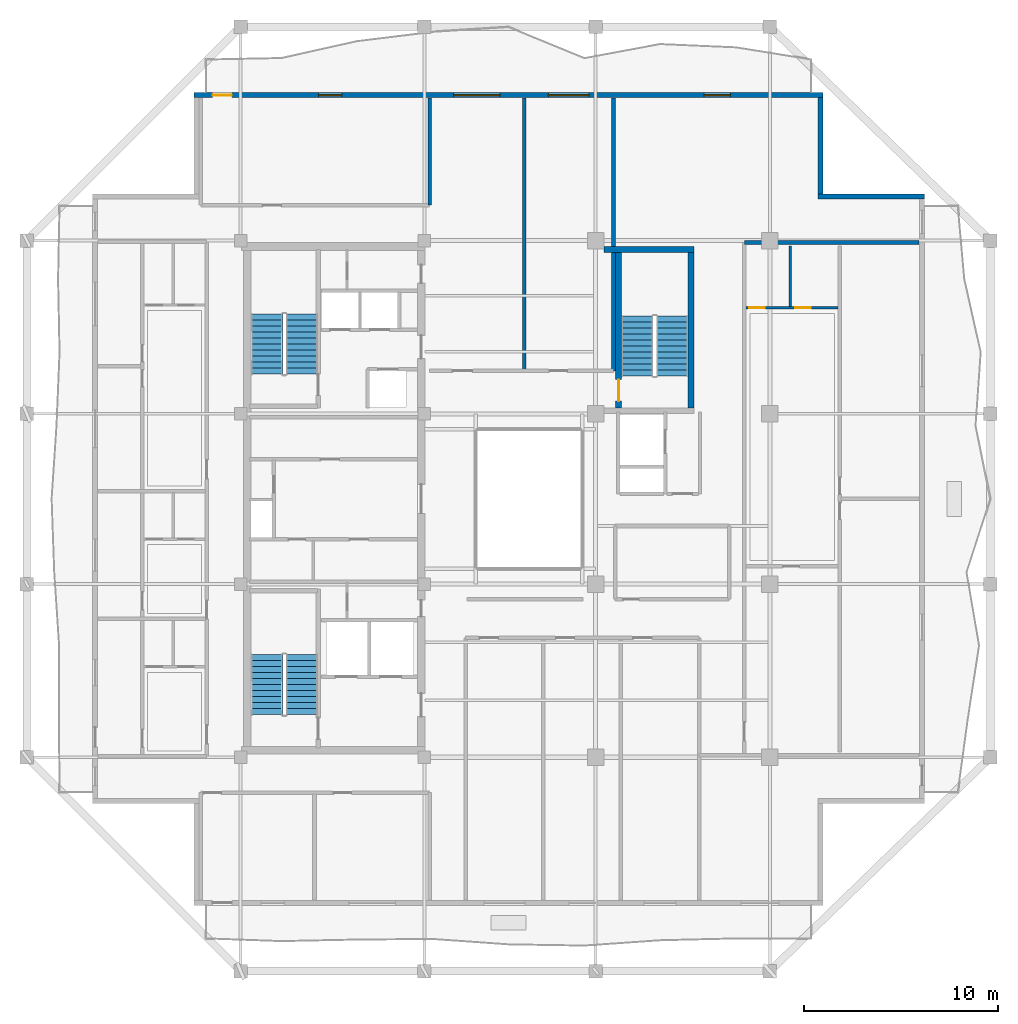
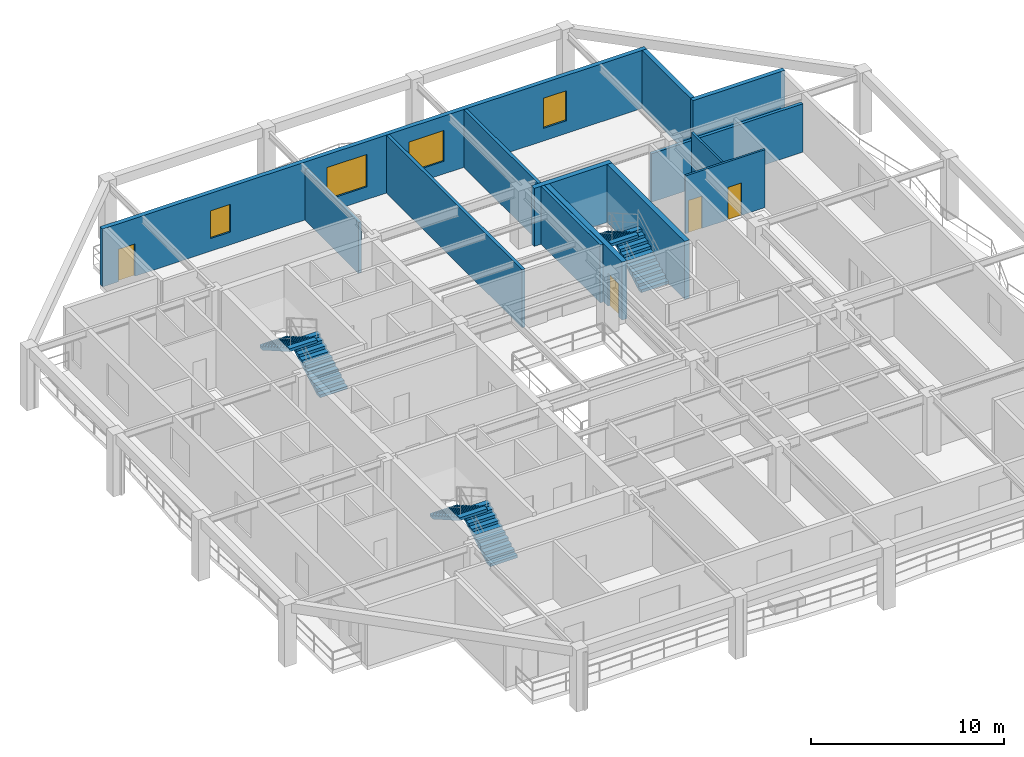
# One storey, part 6 of 11: 12 walls, 6 stair flights, 4 doors, 4 windows, 8 openings, 3 elements without a shape of their own.
"""IFC4 building model written with IfcOpenShell, lengths in metres."""

from ifc_helpers import new_model, si_unit, direction, frame, frame_2d, origin, place, context, subcontext, project, spatial, polyline, rectangle, outline, extrude, material, layer, layer_set, type_object, element, fill, aggregate, save


model = new_model("IFC4")

# Units and contexts
model_context = context("Model", 3, precision=1e-05, world=origin(), true_north=direction((0.0, 1.0)))
body_context = subcontext(model_context, "Body", "Model", "MODEL_VIEW")
ifc_project = project(units=[si_unit("LENGTHUNIT", "METRE"), si_unit("AREAUNIT", "SQUARE_METRE"), si_unit("VOLUMEUNIT", "CUBIC_METRE"), si_unit("PLANEANGLEUNIT", "RADIAN"), si_unit("MASSUNIT", "GRAM", prefix="KILO")], contexts=[model_context])

# Site, building, storey
site_placement = place(None, origin())
site = spatial("IfcSite", under=ifc_project, at=site_placement, CompositionType="ELEMENT")
building_placement = place(site_placement, origin())
building = spatial("IfcBuilding", under=site, at=building_placement, Name="Kundavana Baori Tower", CompositionType="ELEMENT")
storey_placement = place(building_placement, frame((0.0, 0.0, 264.800048828125)))
storey = spatial("IfcBuildingStorey", under=building, at=storey_placement, Name="L65", CompositionType="ELEMENT", Elevation=264.800048828125)

# Walls
ifc_material_1 = material(Name="Kiln-Fired Terracotta Brick-Slip Masonry on Concrete C40/50", Category="masonry")
ifc_layer_1 = layer(ifc_material_1, 0.260009765625, Name="WL-EXT-BRK-260")
ifc_layer_set_1 = layer_set([ifc_layer_1], Name="Kiln-Fired Terracotta Brick-Slip Masonry on Concrete C40/50")
wall_type_1 = type_object("IfcWallType", Name="WL-EXT-BRK-260", PredefinedType="SOLIDWALL", material=ifc_layer_set_1)
wall_1_placement = place(storey_placement, frame((50.800048828125, 44.219970703125, 0.0), z_axis=(0.0, 0.0, 1.0), x_axis=(-1.0, 0.0, 0.0)))
element("IfcWall", 1, at=wall_1_placement, inside=storey, type_object=wall_type_1, Name="L65 Exterior Insulated Facade Wall 05", PredefinedType="SOLIDWALL", context=body_context, shape_type="SweptSolid", body=[
    extrude(rectangle(XDim=5.510009765625, YDim=0.260009765625, at=frame_2d((2.7548828125, 0.0))), origin(), (0.0, 0.0, 1.0), 3.659912109375),
])
wall_2_placement = place(storey_placement, frame((45.419921875, 44.35009765625, 0.0), z_axis=(0.0, 0.0, 1.0), x_axis=(0.0, 1.0, 0.0)))
element("IfcWall", 2, at=wall_2_placement, inside=storey, type_object=wall_type_1, Name="L65 Exterior Insulated Facade Wall 06", PredefinedType="SOLIDWALL", context=body_context, shape_type="SweptSolid", body=[
    extrude(rectangle(XDim=4.989990234375, YDim=0.260009765625, at=frame_2d((2.4951171875, 0.0))), origin(), (0.0, 0.0, 1.0), 3.659912109375),
])

# Wall, openings, door, windows
wall_3_placement = place(storey_placement, frame((45.550048828125, 49.469970703125, 0.0), z_axis=(0.0, 0.0, 1.0), x_axis=(-1.0, 0.0, 0.0)))
wall_3 = element("IfcWall", 3, at=wall_3_placement, inside=storey, type_object=wall_type_1, Name="L65 Exterior Insulated Facade Wall 07", PredefinedType="SOLIDWALL", context=body_context, shape_type="SweptSolid", body=[
    extrude(rectangle(XDim=32.5, YDim=0.260009765625, at=frame_2d((16.25, 0.0))), origin(), (0.0, 0.0, 1.0), 3.659912109375),
])
opening_1_placement = place(wall_3_placement, frame((30.550048828125, 0.0, 0.0)))
opening_1 = element("IfcOpeningElement", 4, at=opening_1_placement, cuts=wall_3, Name="Opening BD-1", PredefinedType="OPENING", context=body_context, shape_type="SweptSolid", body=[
    extrude(rectangle(XDim=1.0, YDim=2.050048828125, at=frame_2d((0.5, 1.02490234375))), frame((0.0, 0.14013671875, 0.0), z_axis=(0.0, -1.0, 0.0), x_axis=(1.0, 0.0, 0.0)), (0.0, 0.0, 1.0), 0.280029296875),
])
opening_2_placement = place(wall_3_placement, frame((24.864990234375, 0.0, 0.800048828125)))
opening_2 = element("IfcOpeningElement", 5, at=opening_2_placement, cuts=wall_3, Name="Opening W-03", PredefinedType="OPENING", context=body_context, shape_type="SweptSolid", body=[
    extrude(rectangle(XDim=1.199951171875, YDim=1.75, at=frame_2d((0.60009765625, 0.875))), frame((0.0, 0.14013671875, 0.0), z_axis=(0.0, -1.0, 0.0), x_axis=(1.0, 0.0, 0.0)), (0.0, 0.0, 1.0), 0.280029296875),
])
opening_3_placement = place(wall_3_placement, frame((16.68994140625, 0.0, 0.800048828125)))
opening_3 = element("IfcOpeningElement", 6, at=opening_3_placement, cuts=wall_3, Name="Opening W-04", PredefinedType="OPENING", context=body_context, shape_type="SweptSolid", body=[
    extrude(rectangle(XDim=2.39990234375, YDim=2.050048828125, at=frame_2d((1.199951171875, 1.02490234375))), frame((0.0, 0.14013671875, 0.0), z_axis=(0.0, -1.0, 0.0), x_axis=(1.0, 0.0, 0.0)), (0.0, 0.0, 1.0), 0.280029296875),
])
opening_4_placement = place(wall_3_placement, frame((12.090087890625, 0.0, 0.800048828125)))
opening_4 = element("IfcOpeningElement", 7, at=opening_4_placement, cuts=wall_3, Name="Opening W-05", PredefinedType="OPENING", context=body_context, shape_type="SweptSolid", body=[
    extrude(rectangle(XDim=2.10009765625, YDim=1.949951171875, at=frame_2d((1.050048828125, 0.97509765625))), frame((0.0, 0.14013671875, 0.0), z_axis=(0.0, -1.0, 0.0), x_axis=(1.0, 0.0, 0.0)), (0.0, 0.0, 1.0), 0.280029296875),
])
opening_5_placement = place(wall_3_placement, frame((4.794921875, 0.0, 0.800048828125)))
opening_5 = element("IfcOpeningElement", 8, at=opening_5_placement, cuts=wall_3, Name="Opening W-07", PredefinedType="OPENING", context=body_context, shape_type="SweptSolid", body=[
    extrude(rectangle(XDim=1.35009765625, YDim=1.89990234375, at=frame_2d((0.675048828125, 0.949951171875))), frame((0.0, 0.14013671875, 0.0), z_axis=(0.0, -1.0, 0.0), x_axis=(1.0, 0.0, 0.0)), (0.0, 0.0, 1.0), 0.280029296875),
])
ifc_material_2 = material(Name="Architectural Patinated Bronze Metalwork")
door_type_1 = type_object("IfcDoorType", Name="DR-EXT-LOG-1000", OperationType="NOTDEFINED", PredefinedType="DOOR", material=ifc_material_2)
door_1_placement = place(opening_1_placement, frame((1.0, 0.0, 0.0), z_axis=(0.0, 0.0, 1.0), x_axis=(-1.0, 0.0, 0.0)))
door_1 = element("IfcDoor", 9, at=door_1_placement, inside=storey, type_object=door_type_1, Name="L65 Loggia Balcony Access Door N", OperationType="SINGLE_SWING_LEFT", OverallHeight=2.050048828125, OverallWidth=1.0, PredefinedType="DOOR", context=body_context, shape_type="SweptSolid", body=[
    extrude(rectangle(XDim=1.0, YDim=2.050048828125, at=frame_2d((0.5, 1.02490234375))), frame((0.0, 0.02490234375, 0.0), z_axis=(0.0, -1.0, 0.0), x_axis=(1.0, 0.0, 0.0)), (0.0, 0.0, 1.0), 0.050048828125),
])
fill(opening_1, door_1)
ifc_material_3 = material(Name="Double-Glazed Solar-Control Low-E Insulated Glass", Category="glass")
window_type_1 = type_object("IfcWindowType", Name="WIN-LOG-1200x1750", PartitioningType="SINGLE_PANEL", PredefinedType="WINDOW", material=ifc_material_3)
window_1_placement = place(opening_2_placement, origin())
window_1 = element("IfcWindow", 10, at=window_1_placement, inside=storey, type_object=window_type_1, Name="L65 Recessed Loggia Window N-1", OverallHeight=1.75, OverallWidth=1.199951171875, PartitioningType="SINGLE_PANEL", PredefinedType="WINDOW", context=body_context, shape_type="SweptSolid", body=[
    extrude(rectangle(XDim=1.199951171875, YDim=1.75, at=frame_2d((0.60009765625, 0.875))), frame((0.0, 0.030029296875, 0.0), z_axis=(0.0, -1.0, 0.0), x_axis=(1.0, 0.0, 0.0)), (0.0, 0.0, 1.0), 0.06005859375),
])
fill(opening_2, window_1)
ifc_material_4 = material(Name="Double-Glazed Solar-Control Low-E Insulated Glass", Category="glass")
window_type_2 = type_object("IfcWindowType", Name="WIN-LOG-1350x1900", PartitioningType="SINGLE_PANEL", PredefinedType="WINDOW", material=ifc_material_4)
window_2_placement = place(opening_5_placement, origin())
window_2 = element("IfcWindow", 11, at=window_2_placement, inside=storey, type_object=window_type_2, Name="L65 Recessed Loggia Window N-4", OverallHeight=1.89990234375, OverallWidth=1.35009765625, PartitioningType="SINGLE_PANEL", PredefinedType="WINDOW", context=body_context, shape_type="SweptSolid", body=[
    extrude(rectangle(XDim=1.35009765625, YDim=1.89990234375, at=frame_2d((0.675048828125, 0.949951171875))), frame((0.0, 0.030029296875, 0.0), z_axis=(0.0, -1.0, 0.0), x_axis=(1.0, 0.0, 0.0)), (0.0, 0.0, 1.0), 0.06005859375),
])
fill(opening_5, window_2)
ifc_material_5 = material(Name="Double-Glazed Solar-Control Low-E Insulated Glass", Category="glass")
window_type_3 = type_object("IfcWindowType", Name="WIN-LOG-2100x1950", PartitioningType="SINGLE_PANEL", PredefinedType="WINDOW", material=ifc_material_5)
window_3_placement = place(opening_4_placement, origin())
window_3 = element("IfcWindow", 12, at=window_3_placement, inside=storey, type_object=window_type_3, Name="L65 Recessed Loggia Window N-3", OverallHeight=1.949951171875, OverallWidth=2.10009765625, PartitioningType="SINGLE_PANEL", PredefinedType="WINDOW", context=body_context, shape_type="SweptSolid", body=[
    extrude(rectangle(XDim=2.10009765625, YDim=1.949951171875, at=frame_2d((1.050048828125, 0.97509765625))), frame((0.0, 0.030029296875, 0.0), z_axis=(0.0, -1.0, 0.0), x_axis=(1.0, 0.0, 0.0)), (0.0, 0.0, 1.0), 0.06005859375),
])
fill(opening_4, window_3)
ifc_material_6 = material(Name="Double-Glazed Solar-Control Low-E Insulated Glass", Category="glass")
window_type_4 = type_object("IfcWindowType", Name="WIN-LOG-2400x2050", PartitioningType="SINGLE_PANEL", PredefinedType="WINDOW", material=ifc_material_6)
window_4_placement = place(opening_3_placement, origin())
window_4 = element("IfcWindow", 13, at=window_4_placement, inside=storey, type_object=window_type_4, Name="L65 Recessed Loggia Window N-2", OverallHeight=2.050048828125, OverallWidth=2.39990234375, PartitioningType="SINGLE_PANEL", PredefinedType="WINDOW", context=body_context, shape_type="SweptSolid", body=[
    extrude(rectangle(XDim=2.39990234375, YDim=2.050048828125, at=frame_2d((1.199951171875, 1.02490234375))), frame((0.0, 0.030029296875, 0.0), z_axis=(0.0, -1.0, 0.0), x_axis=(1.0, 0.0, 0.0)), (0.0, 0.0, 1.0), 0.06005859375),
])
fill(opening_3, window_4)

# Walls
ifc_material_7 = material(Name="Autoclaved Aerated Concrete Blockwork Masonry", Category="masonry")
ifc_layer_2 = layer(ifc_material_7, 0.18505859375, Name="WL-PART-180")
ifc_layer_set_2 = layer_set([ifc_layer_2], Name="Autoclaved Aerated Concrete Blockwork Masonry")
wall_type_2 = type_object("IfcWallType", Name="WL-PART-180", PredefinedType="SOLIDWALL", material=ifc_layer_set_2)
wall_4_placement = place(storey_placement, frame((25.219970703125, 43.780029296875, 0.0), z_axis=(0.0, 0.0, 1.0), x_axis=(0.0, 1.0, 0.0)))
element("IfcWall", 14, at=wall_4_placement, inside=storey, type_object=wall_type_2, Name="WL-L65-RNCE", PredefinedType="SOLIDWALL", context=body_context, shape_type="SweptSolid", body=[
    extrude(rectangle(XDim=5.5400390625, YDim=0.18505859375, at=frame_2d((2.77001953125, 0.0))), origin(), (0.0, 0.0, 1.0), 3.2099609375),
])
wall_5_placement = place(storey_placement, frame((34.719970703125, 35.219970703125, 0.0), z_axis=(0.0, 0.0, 1.0), x_axis=(0.0, 1.0, 0.0)))
element("IfcWall", 15, at=wall_5_placement, inside=storey, type_object=wall_type_2, Name="WL-L65-RNEND", PredefinedType="SOLIDWALL", context=body_context, shape_type="SweptSolid", body=[
    extrude(rectangle(XDim=14.10009765625, YDim=0.18505859375, at=frame_2d((7.050048828125, 0.0))), origin(), (0.0, 0.0, 1.0), 3.659912109375),
])
wall_6_placement = place(storey_placement, frame((30.10009765625, 35.300048828125, 0.0), z_axis=(0.0, 0.0, 1.0), x_axis=(0.0, 1.0, 0.0)))
element("IfcWall", 16, at=wall_6_placement, inside=storey, type_object=wall_type_2, Name="WL-L65-RND1", PredefinedType="SOLIDWALL", context=body_context, shape_type="SweptSolid", body=[
    extrude(rectangle(XDim=14.02001953125, YDim=0.18505859375, at=frame_2d((7.010009765625, 0.0))), origin(), (0.0, 0.0, 1.0), 3.659912109375),
])
wall_7_placement = place(storey_placement, frame((41.47998046875, 41.85009765625, 0.0), z_axis=(0.0, 0.0, 1.0), x_axis=(1.0, 0.0, 0.0)))
element("IfcWall", 17, at=wall_7_placement, inside=storey, type_object=wall_type_2, Name="WL-L65-REN", PredefinedType="SOLIDWALL", context=body_context, shape_type="SweptSolid", body=[
    extrude(rectangle(XDim=9.0400390625, YDim=0.18505859375, at=frame_2d((4.52001953125, 0.0))), origin(), (0.0, 0.0, 1.0), 3.06005859375),
])
ifc_material_8 = material(Name="Concrete C50/60", Category="concrete")
ifc_layer_3 = layer(ifc_material_8, 0.300048828125, Name="WL-ST3-300")
ifc_layer_set_3 = layer_set([ifc_layer_3], Name="Concrete C50/60")
wall_type_3 = type_object("IfcWallType", Name="WL-ST3-300", PredefinedType="SHEAR", material=ifc_layer_set_3)
wall_8_placement = place(storey_placement, frame((34.22509765625, 41.489990234375, 0.0), z_axis=(0.0, 0.0, 1.0), x_axis=(1.0, 0.0, 0.0)))
element("IfcWall", 18, at=wall_8_placement, inside=storey, type_object=wall_type_3, Name="L65 Stair ST3 North Shear Wall", PredefinedType="SHEAR", context=body_context, shape_type="SweptSolid", body=[
    extrude(rectangle(XDim=4.64501953125, YDim=0.300048828125, at=frame_2d((2.322509765625, 0.0))), origin(), (0.0, 0.0, 1.0), 3.659912109375),
])

# Wall, opening, door
wall_9_placement = place(storey_placement, frame((34.97998046875, 33.31005859375, 0.0), z_axis=(0.0, 0.0, 1.0), x_axis=(0.0, 1.0, 0.0)))
wall_9 = element("IfcWall", 19, at=wall_9_placement, inside=storey, type_object=wall_type_3, Name="L65 Stair ST3 West Shear Wall", PredefinedType="SHEAR", context=body_context, shape_type="SweptSolid", body=[
    extrude(rectangle(XDim=8.030029296875, YDim=0.300048828125, at=frame_2d((4.01513671875, 0.0))), origin(), (0.0, 0.0, 1.0), 3.659912109375),
])
opening_6_placement = place(wall_9_placement, frame((0.35009765625, 0.0, 0.0)))
opening_6 = element("IfcOpeningElement", 20, at=opening_6_placement, cuts=wall_9, Name="Opening FD-110", PredefinedType="OPENING", context=body_context, shape_type="SweptSolid", body=[
    extrude(rectangle(XDim=1.10009765625, YDim=2.10009765625, at=frame_2d((0.550048828125, 1.050048828125))), frame((0.0, 0.16015625, 0.0), z_axis=(0.0, -1.0, 0.0), x_axis=(1.0, 0.0, 0.0)), (0.0, 0.0, 1.0), 0.320068359375),
])
ifc_material_9 = material(Name="Galvanised Steel Fire-Rated Door Leaf", Category="steel")
door_type_2 = type_object("IfcDoorType", Name="DR-FD120-1100", OperationType="NOTDEFINED", PredefinedType="DOOR", material=ifc_material_9)
door_2_placement = place(opening_6_placement, origin())
door_2 = element("IfcDoor", 21, at=door_2_placement, inside=storey, type_object=door_type_2, Name="DR-L65-ST3-W", OperationType="SINGLE_SWING_LEFT", OverallHeight=2.10009765625, OverallWidth=1.10009765625, PredefinedType="DOOR", context=body_context, shape_type="SweptSolid", body=[
    extrude(rectangle(XDim=1.10009765625, YDim=2.10009765625, at=frame_2d((0.550048828125, 1.050048828125))), frame((0.0, 0.02490234375, 0.0), z_axis=(0.0, -1.0, 0.0), x_axis=(1.0, 0.0, 0.0)), (0.0, 0.0, 1.0), 0.050048828125),
])
fill(opening_6, door_2)

# Wall
wall_10_placement = place(storey_placement, frame((38.719970703125, 33.31005859375, 0.0), z_axis=(0.0, 0.0, 1.0), x_axis=(0.0, 1.0, 0.0)))
element("IfcWall", 22, at=wall_10_placement, inside=storey, type_object=wall_type_3, Name="L65 Stair ST3 East Shear Wall", PredefinedType="SHEAR", context=body_context, shape_type="SweptSolid", body=[
    extrude(rectangle(XDim=8.030029296875, YDim=0.300048828125, at=frame_2d((4.01513671875, 0.0))), origin(), (0.0, 0.0, 1.0), 3.659912109375),
])

# Wall, openings, doors
ifc_material_10 = material(Name="Autoclaved Aerated Concrete Blockwork Masonry", Category="masonry")
ifc_layer_4 = layer(ifc_material_10, 0.125, Name="WL-WET-120")
ifc_layer_set_4 = layer_set([ifc_layer_4], Name="Autoclaved Aerated Concrete Blockwork Masonry")
wall_type_4 = type_object("IfcWallType", Name="WL-WET-120", PredefinedType="PLUMBINGWALL", material=ifc_layer_set_4)
wall_11_placement = place(storey_placement, frame((41.580078125, 38.469970703125, 0.0), z_axis=(0.0, 0.0, 1.0), x_axis=(1.0, 0.0, 0.0)))
wall_11 = element("IfcWall", 23, at=wall_11_placement, inside=storey, type_object=wall_type_4, Name="WL-L65-E1-KH", PredefinedType="PLUMBINGWALL", context=body_context, shape_type="SweptSolid", body=[
    extrude(rectangle(XDim=4.747802734375, YDim=0.125, at=frame_2d((2.3740234375, 0.0))), origin(), (0.0, 0.0, 1.0), 3.659912109375),
])
opening_7_placement = place(wall_11_placement, frame((0.159912109375, 0.0, 0.0)))
opening_7 = element("IfcOpeningElement", 24, at=opening_7_placement, cuts=wall_11, Name="Opening WD-080", PredefinedType="OPENING", context=body_context, shape_type="SweptSolid", body=[
    extrude(rectangle(XDim=0.800048828125, YDim=2.050048828125, at=frame_2d((0.39990234375, 1.02490234375))), frame((0.0, 0.072509765625, 0.0), z_axis=(0.0, -1.0, 0.0), x_axis=(1.0, 0.0, 0.0)), (0.0, 0.0, 1.0), 0.14501953125),
])
opening_8_placement = place(wall_11_placement, frame((2.5390625, 0.0, 0.0)))
opening_8 = element("IfcOpeningElement", 25, at=opening_8_placement, cuts=wall_11, Name="Opening WD-080", PredefinedType="OPENING", context=body_context, shape_type="SweptSolid", body=[
    extrude(rectangle(XDim=0.800048828125, YDim=2.050048828125, at=frame_2d((0.39990234375, 1.02490234375))), frame((0.0, 0.072509765625, 0.0), z_axis=(0.0, -1.0, 0.0), x_axis=(1.0, 0.0, 0.0)), (0.0, 0.0, 1.0), 0.14501953125),
])
ifc_material_11 = material(Name="Engineered Teak Solid-Core Timber Veneer", Category="wood")
door_type_3 = type_object("IfcDoorType", Name="DR-WET-800", OperationType="NOTDEFINED", PredefinedType="DOOR", material=ifc_material_11)
door_3_placement = place(opening_7_placement, origin())
door_3 = element("IfcDoor", 26, at=door_3_placement, inside=storey, type_object=door_type_3, Name="DR-L65-E1-BT", OperationType="SINGLE_SWING_LEFT", OverallHeight=2.050048828125, OverallWidth=0.800048828125, PredefinedType="DOOR", context=body_context, shape_type="SweptSolid", body=[
    extrude(rectangle(XDim=0.800048828125, YDim=2.050048828125, at=frame_2d((0.39990234375, 1.02490234375))), frame((0.0, 0.02490234375, 0.0), z_axis=(0.0, -1.0, 0.0), x_axis=(1.0, 0.0, 0.0)), (0.0, 0.0, 1.0), 0.050048828125),
])
fill(opening_7, door_3)
door_4_placement = place(opening_8_placement, origin())
door_4 = element("IfcDoor", 27, at=door_4_placement, inside=storey, type_object=door_type_3, Name="DR-L65-E1-KT", OperationType="SINGLE_SWING_RIGHT", OverallHeight=2.050048828125, OverallWidth=0.800048828125, PredefinedType="DOOR", context=body_context, shape_type="SweptSolid", body=[
    extrude(rectangle(XDim=0.800048828125, YDim=2.050048828125, at=frame_2d((0.39990234375, 1.02490234375))), frame((0.0, 0.02490234375, 0.0), z_axis=(0.0, -1.0, 0.0), x_axis=(1.0, 0.0, 0.0)), (0.0, 0.0, 1.0), 0.050048828125),
])
fill(opening_8, door_4)

# Wall
wall_12_placement = place(storey_placement, frame((43.85888671875, 38.550048828125, 0.0), z_axis=(0.0, 0.0, 1.0), x_axis=(0.0, 1.0, 0.0)))
element("IfcWall", 28, at=wall_12_placement, inside=storey, type_object=wall_type_4, Name="WL-L65-E1-BV", PredefinedType="PLUMBINGWALL", context=body_context, shape_type="SweptSolid", body=[
    extrude(rectangle(XDim=3.119873046875, YDim=0.125, at=frame_2d((1.56005859375, 0.0))), origin(), (0.0, 0.0, 1.0), 3.659912109375),
])

# Stair, stair flights
ifc_material_12 = material(Name="Concrete C40/50", Category="concrete")
stair_type = type_object("IfcStairType", Name="STR-DOG-1650", PredefinedType="HALF_TURN_STAIR", material=ifc_material_12)
stair_1_placement = place(storey_placement, origin())
stair_1 = element("IfcStair", 29, at=stair_1_placement, inside=storey, type_object=stair_type, Name="L65 Protected Exit Stair ST1", PredefinedType="HALF_TURN_STAIR")
ifc_material_13 = material(Name="Concrete C40/50", Category="concrete")
stair_flight_type = type_object("IfcStairFlightType", Name="SFL-RC-1650", PredefinedType="STRAIGHT", material=ifc_material_13)
stair_flight_1_placement = place(storey_placement, frame((18.614990234375, 17.449951171875, 0.0), z_axis=(0.0, 0.0, 1.0), x_axis=(0.0, 1.0, 0.0)))
stair_flight_1 = element("IfcStairFlight", 30, at=stair_flight_1_placement, type_object=stair_flight_type, Name="ST1 flight 1", NumberOfRisers=11, NumberOfTreads=10, PredefinedType="STRAIGHT", RiserHeight=0.177272727, TreadLength=0.31, context=body_context, shape_type="SweptSolid", body=[
    extrude(outline(polyline([(0.0, 0.0), (0.0, 0.17724609375), (0.31005859375, 0.17724609375), (0.31005859375, 0.3544921875), (0.6201171875, 0.3544921875), (0.6201171875, 0.53173828125), (0.929931640625, 0.53173828125), (0.929931640625, 0.708984375), (1.239990234375, 0.708984375), (1.239990234375, 0.886474609375), (1.550048828125, 0.886474609375), (1.550048828125, 1.063720703125), (1.860107421875, 1.063720703125), (1.860107421875, 1.240966796875), (2.169921875, 1.240966796875), (2.169921875, 1.418212890625), (2.47998046875, 1.418212890625), (2.47998046875, 1.595458984375), (2.7900390625, 1.595458984375), (2.7900390625, 1.772705078125), (3.10009765625, 1.772705078125), (3.10009765625, 1.949951171875), (3.10009765625, 1.60009765625), (0.302001953125, 0.0), (0.0, 0.0)])), frame((0.0, 0.824951171875, 0.0), z_axis=(0.0, -1.0, 0.0), x_axis=(1.0, 0.0, 0.0)), (0.0, 0.0, 1.0), 1.64990234375),
])
stair_flight_2_placement = place(storey_placement, frame((16.804931640625, 20.550048828125, 1.949951171875), z_axis=(0.0, 0.0, 1.0), x_axis=(0.0, -1.0, 0.0)))
stair_flight_2 = element("IfcStairFlight", 31, at=stair_flight_2_placement, type_object=stair_flight_type, Name="ST1 flight 2", NumberOfRisers=11, NumberOfTreads=10, PredefinedType="STRAIGHT", RiserHeight=0.177272727, TreadLength=0.31, context=body_context, shape_type="SweptSolid", body=[
    extrude(outline(polyline([(0.0, 0.0), (0.0, 0.17724609375), (0.31005859375, 0.17724609375), (0.31005859375, 0.3544921875), (0.6201171875, 0.3544921875), (0.6201171875, 0.53173828125), (0.929931640625, 0.53173828125), (0.929931640625, 0.708984375), (1.239990234375, 0.708984375), (1.239990234375, 0.886474609375), (1.550048828125, 0.886474609375), (1.550048828125, 1.063720703125), (1.860107421875, 1.063720703125), (1.860107421875, 1.240966796875), (2.169921875, 1.240966796875), (2.169921875, 1.418212890625), (2.47998046875, 1.418212890625), (2.47998046875, 1.595458984375), (2.7900390625, 1.595458984375), (2.7900390625, 1.772705078125), (3.10009765625, 1.772705078125), (3.10009765625, 1.949951171875), (3.10009765625, 1.60009765625), (0.302001953125, 0.0), (0.0, 0.0)])), frame((0.0, 0.824951171875, 0.0), z_axis=(0.0, -1.0, 0.0), x_axis=(1.0, 0.0, 0.0)), (0.0, 0.0, 1.0), 1.64990234375),
])
aggregate(stair_1, [stair_flight_1, stair_flight_2])

stair_2_placement = place(storey_placement, origin())
stair_2 = element("IfcStair", 32, at=stair_2_placement, inside=storey, type_object=stair_type, Name="L65 Protected Exit Stair ST2", PredefinedType="HALF_TURN_STAIR")
stair_flight_3_placement = place(storey_placement, frame((18.614990234375, 35.050048828125, 0.0), z_axis=(0.0, 0.0, 1.0), x_axis=(0.0, 1.0, 0.0)))
stair_flight_3 = element("IfcStairFlight", 33, at=stair_flight_3_placement, type_object=stair_flight_type, Name="ST2 flight 1", NumberOfRisers=11, NumberOfTreads=10, PredefinedType="STRAIGHT", RiserHeight=0.177272727, TreadLength=0.31, context=body_context, shape_type="SweptSolid", body=[
    extrude(outline(polyline([(0.0, 0.0), (0.0, 0.17724609375), (0.31005859375, 0.17724609375), (0.31005859375, 0.3544921875), (0.6201171875, 0.3544921875), (0.6201171875, 0.53173828125), (0.929931640625, 0.53173828125), (0.929931640625, 0.708984375), (1.239990234375, 0.708984375), (1.239990234375, 0.886474609375), (1.550048828125, 0.886474609375), (1.550048828125, 1.063720703125), (1.860107421875, 1.063720703125), (1.860107421875, 1.240966796875), (2.169921875, 1.240966796875), (2.169921875, 1.418212890625), (2.47998046875, 1.418212890625), (2.47998046875, 1.595458984375), (2.7900390625, 1.595458984375), (2.7900390625, 1.772705078125), (3.10009765625, 1.772705078125), (3.10009765625, 1.949951171875), (3.10009765625, 1.60009765625), (0.302001953125, 0.0), (0.0, 0.0)])), frame((0.0, 0.824951171875, 0.0), z_axis=(0.0, -1.0, 0.0), x_axis=(1.0, 0.0, 0.0)), (0.0, 0.0, 1.0), 1.64990234375),
])
stair_flight_4_placement = place(storey_placement, frame((16.804931640625, 38.14990234375, 1.949951171875), z_axis=(0.0, 0.0, 1.0), x_axis=(0.0, -1.0, 0.0)))
stair_flight_4 = element("IfcStairFlight", 34, at=stair_flight_4_placement, type_object=stair_flight_type, Name="ST2 flight 2", NumberOfRisers=11, NumberOfTreads=10, PredefinedType="STRAIGHT", RiserHeight=0.177272727, TreadLength=0.31, context=body_context, shape_type="SweptSolid", body=[
    extrude(outline(polyline([(0.0, 0.0), (0.0, 0.17724609375), (0.31005859375, 0.17724609375), (0.31005859375, 0.3544921875), (0.6201171875, 0.3544921875), (0.6201171875, 0.53173828125), (0.929931640625, 0.53173828125), (0.929931640625, 0.708984375), (1.239990234375, 0.708984375), (1.239990234375, 0.886474609375), (1.550048828125, 0.886474609375), (1.550048828125, 1.063720703125), (1.860107421875, 1.063720703125), (1.860107421875, 1.240966796875), (2.169921875, 1.240966796875), (2.169921875, 1.418212890625), (2.47998046875, 1.418212890625), (2.47998046875, 1.595458984375), (2.7900390625, 1.595458984375), (2.7900390625, 1.772705078125), (3.10009765625, 1.772705078125), (3.10009765625, 1.949951171875), (3.10009765625, 1.60009765625), (0.302001953125, 0.0), (0.0, 0.0)])), frame((0.0, 0.824951171875, 0.0), z_axis=(0.0, -1.0, 0.0), x_axis=(1.0, 0.0, 0.0)), (0.0, 0.0, 1.0), 1.64990234375),
])
aggregate(stair_2, [stair_flight_3, stair_flight_4])

stair_3_placement = place(storey_placement, origin())
stair_3 = element("IfcStair", 35, at=stair_3_placement, inside=storey, type_object=stair_type, Name="L65 Protected Exit Stair ST3", PredefinedType="HALF_TURN_STAIR")
stair_flight_5_placement = place(storey_placement, frame((37.7548828125, 34.949951171875, 0.0), z_axis=(0.0, 0.0, 1.0), x_axis=(0.0, 1.0, 0.0)))
stair_flight_5 = element("IfcStairFlight", 36, at=stair_flight_5_placement, type_object=stair_flight_type, Name="ST3 flight 1", NumberOfRisers=11, NumberOfTreads=10, PredefinedType="STRAIGHT", RiserHeight=0.177272727, TreadLength=0.31, context=body_context, shape_type="SweptSolid", body=[
    extrude(outline(polyline([(0.0, 0.0), (0.0, 0.17724609375), (0.31005859375, 0.17724609375), (0.31005859375, 0.3544921875), (0.6201171875, 0.3544921875), (0.6201171875, 0.53173828125), (0.929931640625, 0.53173828125), (0.929931640625, 0.708984375), (1.239990234375, 0.708984375), (1.239990234375, 0.886474609375), (1.550048828125, 0.886474609375), (1.550048828125, 1.063720703125), (1.860107421875, 1.063720703125), (1.860107421875, 1.240966796875), (2.169921875, 1.240966796875), (2.169921875, 1.418212890625), (2.47998046875, 1.418212890625), (2.47998046875, 1.595458984375), (2.7900390625, 1.595458984375), (2.7900390625, 1.772705078125), (3.10009765625, 1.772705078125), (3.10009765625, 1.949951171875), (3.10009765625, 1.60009765625), (0.302001953125, 0.0), (0.0, 0.0)])), frame((0.0, 0.824951171875, 0.0), z_axis=(0.0, -1.0, 0.0), x_axis=(1.0, 0.0, 0.0)), (0.0, 0.0, 1.0), 1.64990234375),
])
stair_flight_6_placement = place(storey_placement, frame((35.945068359375, 38.050048828125, 1.949951171875), z_axis=(0.0, 0.0, 1.0), x_axis=(0.0, -1.0, 0.0)))
stair_flight_6 = element("IfcStairFlight", 37, at=stair_flight_6_placement, type_object=stair_flight_type, Name="ST3 flight 2", NumberOfRisers=11, NumberOfTreads=10, PredefinedType="STRAIGHT", RiserHeight=0.177272727, TreadLength=0.31, context=body_context, shape_type="SweptSolid", body=[
    extrude(outline(polyline([(0.0, 0.0), (0.0, 0.17724609375), (0.31005859375, 0.17724609375), (0.31005859375, 0.3544921875), (0.6201171875, 0.3544921875), (0.6201171875, 0.53173828125), (0.929931640625, 0.53173828125), (0.929931640625, 0.708984375), (1.239990234375, 0.708984375), (1.239990234375, 0.886474609375), (1.550048828125, 0.886474609375), (1.550048828125, 1.063720703125), (1.860107421875, 1.063720703125), (1.860107421875, 1.240966796875), (2.169921875, 1.240966796875), (2.169921875, 1.418212890625), (2.47998046875, 1.418212890625), (2.47998046875, 1.595458984375), (2.7900390625, 1.595458984375), (2.7900390625, 1.772705078125), (3.10009765625, 1.772705078125), (3.10009765625, 1.949951171875), (3.10009765625, 1.60009765625), (0.302001953125, 0.0), (0.0, 0.0)])), frame((0.0, 0.824951171875, 0.0), z_axis=(0.0, -1.0, 0.0), x_axis=(1.0, 0.0, 0.0)), (0.0, 0.0, 1.0), 1.64990234375),
])
aggregate(stair_3, [stair_flight_5, stair_flight_6])

save(model, "model.ifc")
